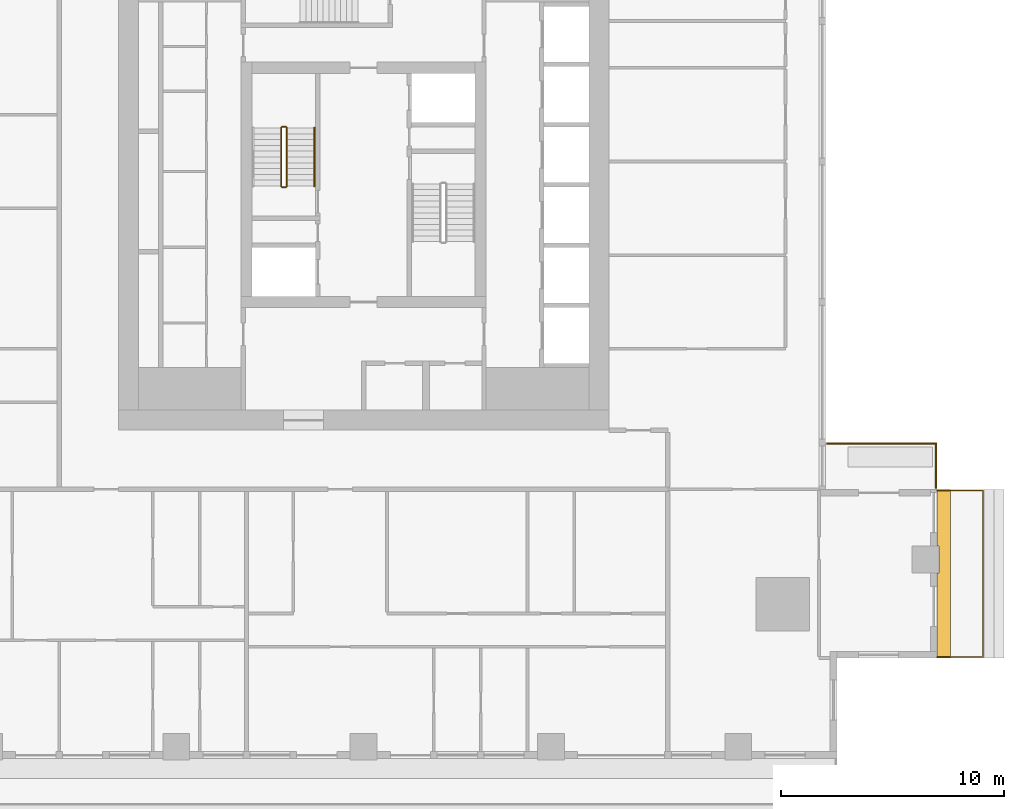
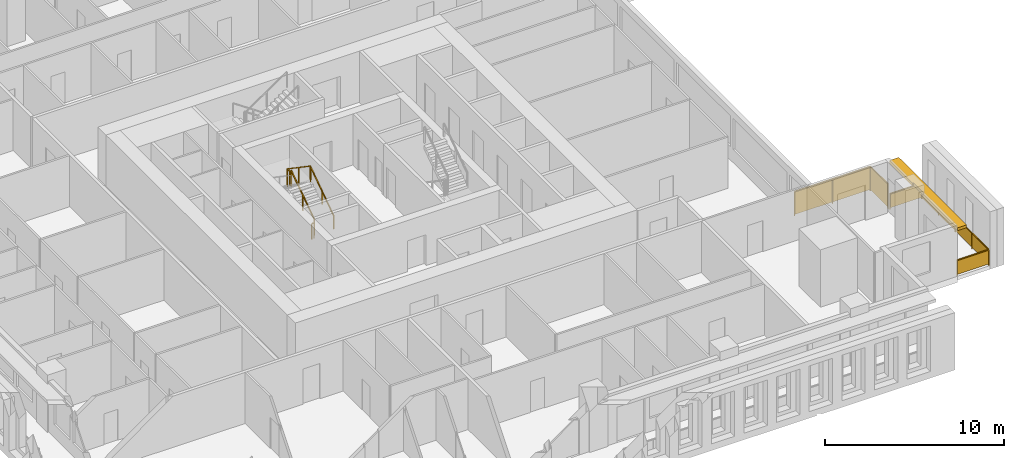
# One storey, part 12 of 15: 7 railings, 1 shading device.
"""IFC4 building model written with IfcOpenShell, lengths in metres."""

from ifc_helpers import new_model, si_unit, direction, frame, origin, origin_2d, place, context, subcontext, project, spatial, polyline, rectangle, outline, extrude, material, layer, layer_set, type_object, element, save


model = new_model("IFC4")

# Units and contexts
model_context = context("Model", 3, precision=1e-05, world=origin(), true_north=direction((0.0, 1.0)))
body_context = subcontext(model_context, "Body", "Model", "MODEL_VIEW")
ifc_project = project(units=[si_unit("LENGTHUNIT", "METRE"), si_unit("AREAUNIT", "SQUARE_METRE"), si_unit("VOLUMEUNIT", "CUBIC_METRE"), si_unit("PLANEANGLEUNIT", "RADIAN"), si_unit("MASSUNIT", "GRAM", prefix="KILO")], contexts=[model_context])

# Site, building, storey
site_placement = place(None, origin())
site = spatial("IfcSite", under=ifc_project, at=site_placement, CompositionType="ELEMENT")
building_placement = place(site_placement, origin())
building = spatial("IfcBuilding", under=site, at=building_placement, Name="Khepri Terraces", CompositionType="ELEMENT")
storey_placement = place(building_placement, frame((0.0, 0.0, 227.39990234375)))
storey = spatial("IfcBuildingStorey", under=building, at=storey_placement, Name="L54", CompositionType="ELEMENT", Elevation=227.39990234375)

# Railings
ifc_material_1 = material(Name="Stainless steel grade 316", Category="steel")
railing_type_1 = type_object("IfcRailingType", Name="GRD-BAL-1100", PredefinedType="GUARDRAIL", material=ifc_material_1)
railing_1_placement = place(storey_placement, frame((25.719970703125, -21.169921875, 0.0)))
element("IfcRailing", 1, at=railing_1_placement, inside=storey, type_object=railing_type_1, Name="Balcony guard L54 E", PredefinedType="GUARDRAIL", context=body_context, shape_type="SweptSolid", body=[
    extrude(rectangle(XDim=0.050048828125, YDim=0.06005859375, at=origin_2d()), frame((0.0, 0.0, 1.070068359375), z_axis=(1.0, 0.0, 0.0), x_axis=(0.0, 1.0, 0.0)), (0.0, 0.0, 1.0), 2.050048828125),
    extrude(rectangle(XDim=2.0, YDim=0.011962890625, at=origin_2d()), frame((1.02490234375, 0.0, 0.10009765625), z_axis=(0.0, 0.0, 1.0), x_axis=(1.0, 0.0, 0.0)), (0.0, 0.0, 1.0), 0.93994140625),
    extrude(rectangle(XDim=0.050048828125, YDim=0.06005859375, at=origin_2d()), frame((2.050048828125, 0.0, 1.070068359375), z_axis=(0.0, 1.0, 0.0), x_axis=(-1.0, 0.0, 0.0)), (0.0, 0.0, 1.0), 7.469970703125),
    extrude(rectangle(XDim=1.8173828125, YDim=0.011962890625, at=origin_2d()), frame((2.050048828125, 0.933837890625, 0.10009765625), z_axis=(0.0, 0.0, 1.0), x_axis=(0.0, 1.0, 0.0)), (0.0, 0.0, 1.0), 0.93994140625),
    extrude(rectangle(XDim=1.8173828125, YDim=0.011962890625, at=origin_2d()), frame((2.050048828125, 2.80126953125, 0.10009765625), z_axis=(0.0, 0.0, 1.0), x_axis=(0.0, 1.0, 0.0)), (0.0, 0.0, 1.0), 0.93994140625),
    extrude(rectangle(XDim=1.8173828125, YDim=0.011962890625, at=origin_2d()), frame((2.050048828125, 4.668701171875, 0.10009765625), z_axis=(0.0, 0.0, 1.0), x_axis=(0.0, 1.0, 0.0)), (0.0, 0.0, 1.0), 0.93994140625),
    extrude(rectangle(XDim=1.8173828125, YDim=0.011962890625, at=origin_2d()), frame((2.050048828125, 6.5361328125, 0.10009765625), z_axis=(0.0, 0.0, 1.0), x_axis=(0.0, 1.0, 0.0)), (0.0, 0.0, 1.0), 0.93994140625),
    extrude(rectangle(XDim=0.050048828125, YDim=0.06005859375, at=origin_2d()), frame((2.050048828125, 7.469970703125, 1.070068359375), z_axis=(-1.0, 0.0, 0.0), x_axis=(0.0, -1.0, 0.0)), (0.0, 0.0, 1.0), 2.050048828125),
    extrude(rectangle(XDim=2.0, YDim=0.011962890625, at=origin_2d()), frame((1.02490234375, 7.469970703125, 0.10009765625), z_axis=(0.0, 0.0, 1.0), x_axis=(-1.0, 0.0, 0.0)), (0.0, 0.0, 1.0), 0.93994140625),
    extrude(rectangle(XDim=0.050048828125, YDim=0.050048828125, at=origin_2d()), origin(), (0.0, 0.0, 1.0), 1.0400390625),
    extrude(rectangle(XDim=0.050048828125, YDim=0.050048828125, at=origin_2d()), frame((2.050048828125, 0.0, 0.0)), (0.0, 0.0, 1.0), 1.0400390625),
    extrude(rectangle(XDim=0.050048828125, YDim=0.050048828125, at=origin_2d()), frame((2.050048828125, 1.867431640625, 0.0)), (0.0, 0.0, 1.0), 1.0400390625),
    extrude(rectangle(XDim=0.050048828125, YDim=0.050048828125, at=origin_2d()), frame((2.050048828125, 3.73486328125, 0.0)), (0.0, 0.0, 1.0), 1.0400390625),
    extrude(rectangle(XDim=0.050048828125, YDim=0.050048828125, at=origin_2d()), frame((2.050048828125, 5.6025390625, 0.0)), (0.0, 0.0, 1.0), 1.0400390625),
    extrude(rectangle(XDim=0.050048828125, YDim=0.050048828125, at=origin_2d()), frame((2.050048828125, 7.469970703125, 0.0)), (0.0, 0.0, 1.0), 1.0400390625),
    extrude(rectangle(XDim=0.050048828125, YDim=0.050048828125, at=origin_2d()), frame((0.0, 7.469970703125, 0.0)), (0.0, 0.0, 1.0), 1.0400390625),
])
railing_type_2 = type_object("IfcRailingType", Name="GRD-TERR-1700", PredefinedType="GUARDRAIL", material=ifc_material_1)
railing_2_placement = place(storey_placement, frame((20.7900390625, -11.60009765625, 0.0)))
element("IfcRailing", 2, at=railing_2_placement, inside=storey, type_object=railing_type_2, Name="Terrace guard L54", PredefinedType="GUARDRAIL", context=body_context, shape_type="SweptSolid", body=[
    extrude(rectangle(XDim=0.050048828125, YDim=0.06005859375, at=origin_2d()), frame((0.0, 0.0, 1.669921875), z_axis=(1.0, 0.0, 0.0), x_axis=(0.0, 1.0, 0.0)), (0.0, 0.0, 1.0), 4.8798828125),
    extrude(rectangle(XDim=2.389892578125, YDim=0.011962890625, at=origin_2d()), frame((1.219970703125, 0.0, 0.10009765625), z_axis=(0.0, 0.0, 1.0), x_axis=(1.0, 0.0, 0.0)), (0.0, 0.0, 1.0), 1.539794921875),
    extrude(rectangle(XDim=2.389892578125, YDim=0.011962890625, at=origin_2d()), frame((3.659912109375, 0.0, 0.10009765625), z_axis=(0.0, 0.0, 1.0), x_axis=(1.0, 0.0, 0.0)), (0.0, 0.0, 1.0), 1.539794921875),
    extrude(rectangle(XDim=0.050048828125, YDim=0.06005859375, at=origin_2d()), frame((4.8798828125, 0.0, 1.669921875), z_axis=(0.0, -1.0, 0.0), x_axis=(1.0, 0.0, 0.0)), (0.0, 0.0, 1.0), 1.97998046875),
    extrude(rectangle(XDim=1.929931640625, YDim=0.011962890625, at=origin_2d()), frame((4.8798828125, -0.989990234375, 0.10009765625), z_axis=(0.0, 0.0, 1.0), x_axis=(0.0, -1.0, 0.0)), (0.0, 0.0, 1.0), 1.539794921875),
    extrude(rectangle(XDim=0.050048828125, YDim=0.050048828125, at=origin_2d()), origin(), (0.0, 0.0, 1.0), 1.639892578125),
    extrude(rectangle(XDim=0.050048828125, YDim=0.050048828125, at=origin_2d()), frame((2.43994140625, 0.0, 0.0)), (0.0, 0.0, 1.0), 1.639892578125),
    extrude(rectangle(XDim=0.050048828125, YDim=0.050048828125, at=origin_2d()), frame((4.8798828125, 0.0, 0.0)), (0.0, 0.0, 1.0), 1.639892578125),
    extrude(rectangle(XDim=0.050048828125, YDim=0.050048828125, at=origin_2d()), frame((4.8798828125, -1.97998046875, 0.0)), (0.0, 0.0, 1.0), 1.639892578125),
])
ifc_material_2 = material(Name="Stainless steel 316", Category="steel")
railing_type_3 = type_object("IfcRailingType", Name="RL-CORE-GUARD", PredefinedType="GUARDRAIL", material=ifc_material_2)
railing_3_placement = place(storey_placement, frame((-3.449951171875, -0.050048828125, 0.177490234375)))
element("IfcRailing", 3, at=railing_3_placement, inside=storey, type_object=railing_type_3, Name="L54 ST-1 stair guard 1", PredefinedType="GUARDRAIL", context=body_context, shape_type="SweptSolid", body=[
    extrude(rectangle(XDim=0.050048828125, YDim=0.06005859375, at=origin_2d()), frame((0.0, 0.0, 1.070068359375), z_axis=(0.0, 0.826240473404, 0.563317565952), x_axis=(-1.0, 0.0, 0.0)), (0.0, 0.0, 1.0), 3.14697265625),
    extrude(rectangle(XDim=0.050048828125, YDim=0.050048828125, at=origin_2d()), origin(), (0.0, 0.0, 1.0), 1.0400390625),
    extrude(rectangle(XDim=0.050048828125, YDim=0.050048828125, at=origin_2d()), frame((0.0, 1.300048828125, 0.88623046875)), (0.0, 0.0, 1.0), 1.0400390625),
    extrude(rectangle(XDim=0.050048828125, YDim=0.050048828125, at=origin_2d()), frame((0.0, 2.60009765625, 1.772705078125)), (0.0, 0.0, 1.0), 1.0400390625),
])
railing_4_placement = place(storey_placement, frame((-3.5, 2.60009765625, 1.9501953125)))
element("IfcRailing", 4, at=railing_4_placement, inside=storey, type_object=railing_type_3, Name="L54 ST-1 stair guard 2", PredefinedType="GUARDRAIL", context=body_context, shape_type="SweptSolid", body=[
    extrude(rectangle(XDim=0.050048828125, YDim=0.06005859375, at=origin_2d()), frame((0.0, 0.0, 1.070068359375), z_axis=(-1.0, 0.0, 0.0), x_axis=(0.0, -1.0, 0.0)), (0.0, 0.0, 1.0), 0.14990234375),
    extrude(rectangle(XDim=0.050048828125, YDim=0.050048828125, at=origin_2d()), origin(), (0.0, 0.0, 1.0), 1.0400390625),
    extrude(rectangle(XDim=0.050048828125, YDim=0.050048828125, at=origin_2d()), frame((-0.14990234375, 0.0, 0.0)), (0.0, 0.0, 1.0), 1.0400390625),
])
railing_5_placement = place(storey_placement, frame((-3.699951171875, 2.550048828125, 2.12744140625)))
element("IfcRailing", 5, at=railing_5_placement, inside=storey, type_object=railing_type_3, Name="L54 ST-1 stair guard 3", PredefinedType="GUARDRAIL", context=body_context, shape_type="SweptSolid", body=[
    extrude(rectangle(XDim=0.050048828125, YDim=0.06005859375, at=origin_2d()), frame((0.0, 0.0, 1.070068359375), z_axis=(0.0, -0.826240473404, 0.563317565952), x_axis=(1.0, 0.0, 0.0)), (0.0, 0.0, 1.0), 3.14697265625),
    extrude(rectangle(XDim=0.050048828125, YDim=0.050048828125, at=origin_2d()), origin(), (0.0, 0.0, 1.0), 1.0400390625),
    extrude(rectangle(XDim=0.050048828125, YDim=0.050048828125, at=origin_2d()), frame((0.0, -1.300048828125, 0.88623046875)), (0.0, 0.0, 1.0), 1.0400390625),
    extrude(rectangle(XDim=0.050048828125, YDim=0.050048828125, at=origin_2d()), frame((0.0, -2.60009765625, 1.772705078125)), (0.0, 0.0, 1.0), 1.0400390625),
])
railing_6_placement = place(storey_placement, frame((-3.5, -0.10009765625, 0.0)))
element("IfcRailing", 6, at=railing_6_placement, inside=storey, type_object=railing_type_3, Name="L54 ST-1 stair guard 4", PredefinedType="GUARDRAIL", context=body_context, shape_type="SweptSolid", body=[
    extrude(rectangle(XDim=0.050048828125, YDim=0.06005859375, at=origin_2d()), frame((0.0, 0.0, 1.070068359375), z_axis=(-1.0, 0.0, 0.0), x_axis=(0.0, -1.0, 0.0)), (0.0, 0.0, 1.0), 0.14990234375),
    extrude(rectangle(XDim=0.050048828125, YDim=0.050048828125, at=origin_2d()), origin(), (0.0, 0.0, 1.0), 1.0400390625),
    extrude(rectangle(XDim=0.050048828125, YDim=0.050048828125, at=origin_2d()), frame((-0.14990234375, 0.0, 0.0)), (0.0, 0.0, 1.0), 1.0400390625),
])
railing_type_4 = type_object("IfcRailingType", Name="RL-CORE-HANDRAIL", PredefinedType="HANDRAIL", material=ifc_material_2)
railing_7_placement = place(storey_placement, frame((-2.199951171875, -0.050048828125, 0.177490234375)))
element("IfcRailing", 7, at=railing_7_placement, inside=storey, type_object=railing_type_4, Name="L54 ST-1 stair handrail 1", PredefinedType="HANDRAIL", context=body_context, shape_type="SweptSolid", body=[
    extrude(rectangle(XDim=0.050048828125, YDim=0.050048828125, at=origin_2d()), frame((0.0, 0.0, 0.875), z_axis=(0.0, 0.826240473404, 0.563317565952), x_axis=(-1.0, 0.0, 0.0)), (0.0, 0.0, 1.0), 3.14697265625),
    extrude(rectangle(XDim=0.050048828125, YDim=0.050048828125, at=origin_2d()), origin(), (0.0, 0.0, 1.0), 0.849853515625),
    extrude(rectangle(XDim=0.050048828125, YDim=0.050048828125, at=origin_2d()), frame((0.0, 1.300048828125, 0.88623046875)), (0.0, 0.0, 1.0), 0.849853515625),
    extrude(rectangle(XDim=0.050048828125, YDim=0.050048828125, at=origin_2d()), frame((0.0, 2.60009765625, 1.772705078125)), (0.0, 0.0, 1.0), 0.849853515625),
])

# Shading device
ifc_material_3 = material(Name="Precast concrete C50/60 warm stone", Category="masonry")
ifc_layer = layer(ifc_material_3, 0.199951171875, Name="Precast concrete C50/60 warm stone", Category="masonry")
ifc_layer_set = layer_set([ifc_layer], Name="Precast concrete C50/60 warm stone")
shading_device_type = type_object("IfcShadingDeviceType", Name="SSH-BAND-STONE-200-N", PredefinedType="USERDEFINED", material=ifc_layer_set)
shading_device_placement = place(storey_placement, frame((0.0, 0.0, 3.10009765625)))
element("IfcShadingDevice", 8, at=shading_device_placement, inside=storey, type_object=shading_device_type, Name="Sunshade band L54 E", ObjectType="SUNSHADE", PredefinedType="USERDEFINED", context=body_context, shape_type="SweptSolid", body=[
    extrude(outline(polyline([(25.719970703125, -17.39990234375), (25.719970703125, -21.219970703125), (26.320068359375, -21.219970703125), (26.320068359375, -13.64990234375), (25.719970703125, -13.64990234375), (25.719970703125, -16.199951171875), (25.800048828125, -16.199951171875), (25.800048828125, -17.39990234375), (25.719970703125, -17.39990234375)])), origin(), (0.0, 0.0, 1.0), 0.199951171875),
])

save(model, "model.ifc")
